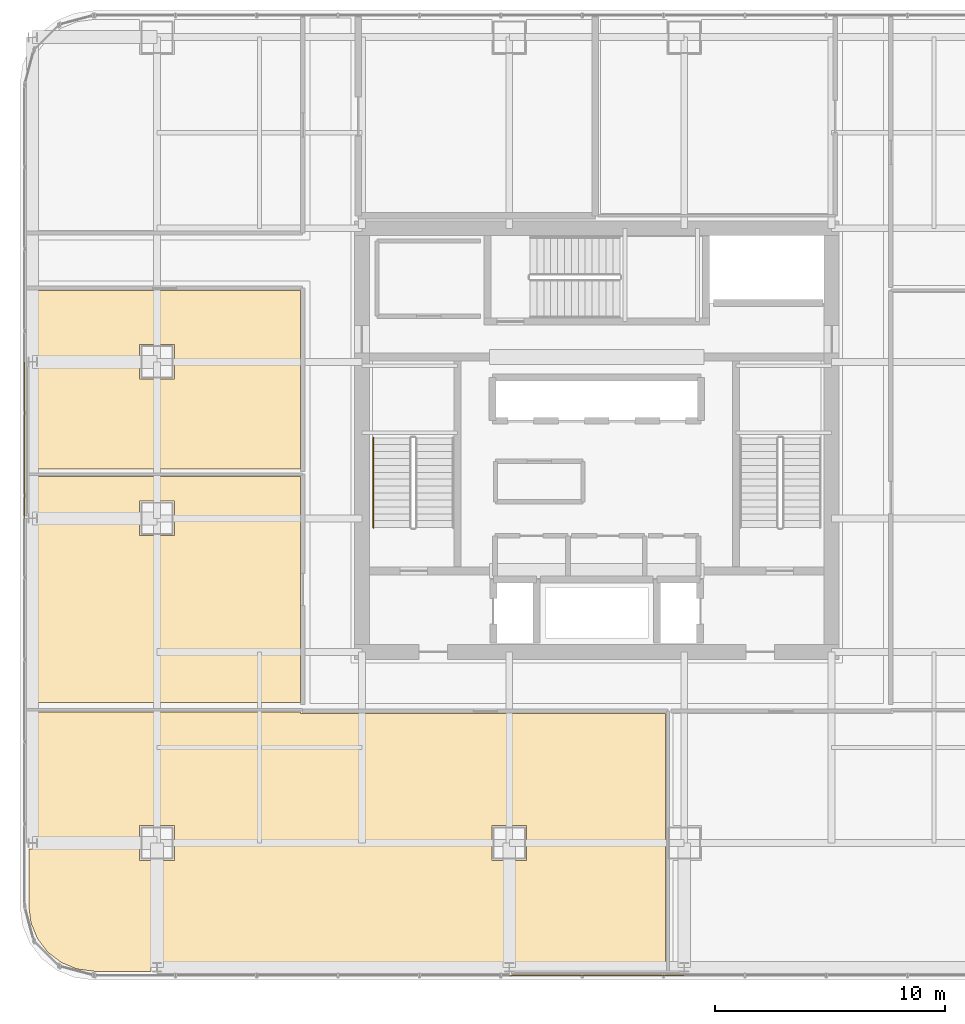
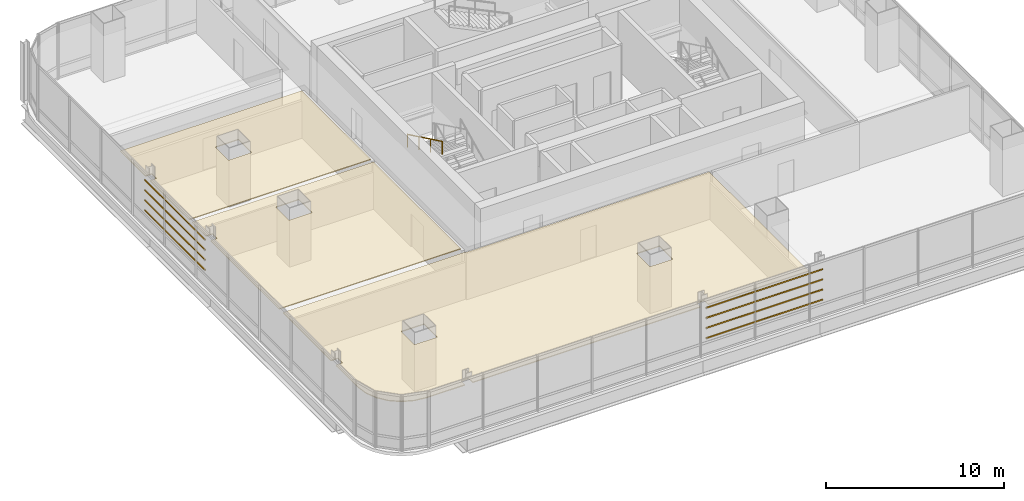
# One storey, part 32 of 36: 8 shading devices, 3 coverings, 1 railing.
"""IFC4 building model written with IfcOpenShell, lengths in metres."""

import ifcopenshell
import ifcopenshell.guid

model = None  # the IFC model being written
_history = None  # IfcOwnerHistory: only IFC2X3 demands one
_inside = {}  # id of a spatial element -> (the spatial element, [elements in it])
_under = {}  # id of a project, library or spatial element -> (it, [spatial elements below it])
_declared = {}  # id of a project -> (the project, [libraries it declares])
_typed = {}  # id of a type object -> (the type object, [elements of that type])
_made_of = {}  # id of a material, layer set ... -> (it, [elements and type objects made of it])


def new_model(schema):
    """Start an empty IFC model of exactly this schema.

    Asked for "IFC4X3", IfcOpenShell would pick the latest addendum, in which some entities
    have other attributes; the version numbers below select the first issue.
    IFC2X3 requires an IfcOwnerHistory on every rooted entity: one is made here for all.
    """
    global model, _history
    if schema == "IFC4X3":
        model = ifcopenshell.file(schema_version=(4, 3, 0, 0))
    else:
        model = ifcopenshell.file(schema=schema)
    _inside.clear()
    _under.clear()
    _declared.clear()
    _typed.clear()
    _made_of.clear()
    _history = None
    if model.schema == "IFC2X3":
        org = make("IfcOrganization", Name="unknown")
        user = make(
            "IfcPersonAndOrganization",
            ThePerson=make("IfcPerson", FamilyName="unknown"),
            TheOrganization=org,
        )
        app = make(
            "IfcApplication",
            ApplicationDeveloper=org,
            Version="unknown",
            ApplicationFullName="unknown",
            ApplicationIdentifier="unknown",
        )
        _history = make(
            "IfcOwnerHistory",
            OwningUser=user,
            OwningApplication=app,
            ChangeAction="ADDED",
            CreationDate=0,
        )
    return model


def make(cls, **values):
    """One entity of the class cls with the attributes given. An attribute that is None is left unset."""
    return model.create_entity(
        cls, **{name: value for name, value in values.items() if value is not None}
    )


def rooted(cls, **values):
    """An entity with a GlobalId (a new one), such as an element, a storey or a relation."""
    return make(cls, GlobalId=ifcopenshell.guid.new(), OwnerHistory=_history, **values)


def si_unit(unit_type, name, prefix=None):
    """IfcSIUnit, for example si_unit("LENGTHUNIT", "METRE", prefix="MILLI")."""
    return make("IfcSIUnit", UnitType=unit_type, Prefix=prefix, Name=name)


def assignment(units):
    """IfcUnitAssignment: the units of a project."""
    return None if units is None else make("IfcUnitAssignment", Units=units)


def point(xyz):
    """IfcCartesianPoint."""
    return None if xyz is None else make("IfcCartesianPoint", Coordinates=xyz)


def direction(xyz):
    """IfcDirection."""
    return None if xyz is None else make("IfcDirection", DirectionRatios=xyz)


def frame(location, z_axis=None, x_axis=None):
    """IfcAxis2Placement3D, a coordinate frame: its origin and axes. An axis left out is left unset."""
    return make(
        "IfcAxis2Placement3D",
        Location=point(location),
        Axis=direction(z_axis),
        RefDirection=direction(x_axis),
    )


def frame_2d(location, x_axis=None):
    """IfcAxis2Placement2D, a coordinate frame in the plane: its origin and x axis."""
    return make(
        "IfcAxis2Placement2D", Location=point(location), RefDirection=direction(x_axis)
    )


def origin():
    """The frame at (0, 0, 0) with its axes left unset."""
    return frame((0.0, 0.0, 0.0))


def origin_2d():
    """The frame at (0, 0) in the plane with its x axis left unset."""
    return frame_2d((0.0, 0.0))


def place(relative_to, where):
    """IfcLocalPlacement: puts the frame where relative to a parent placement (None: the world)."""
    return make(
        "IfcLocalPlacement", PlacementRelTo=relative_to, RelativePlacement=where
    )


def context(
    kind, dimensions, precision=None, world=None, true_north=None, identifier=None
):
    """IfcGeometricRepresentationContext, for example the 3D "Model" context."""
    return make(
        "IfcGeometricRepresentationContext",
        ContextIdentifier=identifier,
        ContextType=kind,
        CoordinateSpaceDimension=dimensions,
        Precision=precision,
        WorldCoordinateSystem=world,
        TrueNorth=true_north,
    )


def subcontext(parent, identifier, kind, view, scale=None):
    """IfcGeometricRepresentationSubContext, for example "Body" below "Model"."""
    return make(
        "IfcGeometricRepresentationSubContext",
        ContextIdentifier=identifier,
        ContextType=kind,
        ParentContext=parent,
        TargetScale=scale,
        TargetView=view,
    )


def project(units=None, contexts=None):
    """IfcProject with its units and contexts."""
    return rooted(
        "IfcProject",
        Name="project",
        RepresentationContexts=contexts,
        UnitsInContext=assignment(units),
    )


def spatial(cls, under=None, at=None, **own):
    """A site, building, storey or space (cls), placed at a placement, below another one or the project."""
    s = rooted(cls, ObjectPlacement=at, **own)
    if under is not None:
        _under.setdefault(under.id(), (under, []))[1].append(s)
    return s


def polyline(points):
    """IfcPolyline through the points."""
    return make("IfcPolyline", Points=[point(p) for p in points])


def profile(cls, at=None, kind="AREA", **sizes):
    """A parametric profile (cls). Its sizes go by their IFC names, for example OverallWidth=200.0."""
    return make(cls, ProfileType=kind, Position=at, **sizes)


def hollow_rectangle(**sizes):
    """IfcRectangleHollowProfileDef."""
    return profile("IfcRectangleHollowProfileDef", **sizes)


def circle(**sizes):
    """IfcCircleProfileDef."""
    return profile("IfcCircleProfileDef", **sizes)


def outline(outer, holes=None, kind="AREA"):
    """IfcArbitraryClosedProfileDef: a profile drawn as a closed curve; with holes, ...WithVoids."""
    if holes is None:
        return make("IfcArbitraryClosedProfileDef", ProfileType=kind, OuterCurve=outer)
    return make(
        "IfcArbitraryProfileDefWithVoids",
        ProfileType=kind,
        OuterCurve=outer,
        InnerCurves=holes,
    )


def extrude(swept, where, along, depth):
    """IfcExtrudedAreaSolid: the profile swept, set in the frame where, extruded along a direction by depth."""
    return make(
        "IfcExtrudedAreaSolid",
        SweptArea=swept,
        Position=where,
        ExtrudedDirection=direction(along),
        Depth=depth,
    )


def shape(context_of_items, identifier, shape_type, items):
    """IfcShapeRepresentation: the items that make up one representation, for example the "Body"."""
    return make(
        "IfcShapeRepresentation",
        ContextOfItems=context_of_items,
        RepresentationIdentifier=identifier,
        RepresentationType=shape_type,
        Items=items,
    )


def material(Name=None, Category=None):
    """IfcMaterial."""
    return make("IfcMaterial", Name=Name, Category=Category)


def layer(
    of_material, thickness, ventilated=None, Name=None, Category=None, Priority=None
):
    """IfcMaterialLayer: one layer of a wall or slab, of a material (None: an air gap)."""
    return make(
        "IfcMaterialLayer",
        Material=of_material,
        LayerThickness=thickness,
        IsVentilated=ventilated,
        Name=Name,
        Category=Category,
        Priority=Priority,
    )


def layer_set(layers, Name=None):
    """IfcMaterialLayerSet."""
    return make("IfcMaterialLayerSet", MaterialLayers=layers, LayerSetName=Name)


def material_profile(
    of_material, cross_section, Name=None, Category=None, Priority=None
):
    """IfcMaterialProfile: a cross section and its material."""
    return make(
        "IfcMaterialProfile",
        Name=Name,
        Material=of_material,
        Profile=cross_section,
        Priority=Priority,
        Category=Category,
    )


def profile_set(profiles, Name=None, composite=None):
    """IfcMaterialProfileSet."""
    return make(
        "IfcMaterialProfileSet",
        Name=Name,
        MaterialProfiles=profiles,
        CompositeProfile=composite,
    )


def made_of(thing, what):
    """Note that an element or type object is made of a material, layer set ...; save() writes the relation."""
    if what is not None:
        _made_of.setdefault(what.id(), (what, []))[1].append(thing)
    return thing


def type_object(cls, material=None, **own):
    """A type object (cls), such as IfcWallType, which elements share."""
    return made_of(rooted(cls, **own), material)


def element(
    cls,
    number,
    at=None,
    inside=None,
    cuts=None,
    type_object=None,
    material=None,
    context=None,
    identifier="Body",
    shape_type=None,
    held_by="IfcProductDefinitionShape",
    body=None,
    shapes=None,
    **own,
):
    """One element of the class cls, such as IfcWall. Its Tag is "e" and its number.

    at: its placement. inside: the storey or other place that contains it. cuts: it is an
    opening in that element (IfcRelVoidsElement). A single representation is given by context,
    identifier, shape_type and body (its items); several are given by shapes. held_by: the class
    of the entity that holds the representations. save() writes the other relations.
    """
    e = rooted(cls, Tag="e%d" % number, ObjectPlacement=at, **own)
    if body is not None:
        shapes = [shape(context, identifier, shape_type, body)]
    if shapes is not None:
        e.Representation = make(held_by, Representations=shapes)
    if inside is not None:
        _inside.setdefault(inside.id(), (inside, []))[1].append(e)
    if cuts is not None:
        rooted(
            "IfcRelVoidsElement", RelatingBuildingElement=cuts, RelatedOpeningElement=e
        )
    if type_object is not None:
        _typed.setdefault(type_object.id(), (type_object, []))[1].append(e)
    return made_of(e, material)


def aggregate(whole, parts):
    """IfcRelAggregates: a whole, such as a stair, and the parts it consists of."""
    return rooted("IfcRelAggregates", RelatingObject=whole, RelatedObjects=parts)


def save(model, path):
    """Write the relations noted so far, then the file.

    IfcRelAggregates (storeys below a building ...), IfcRelContainedInSpatialStructure (elements
    in a storey), IfcRelDefinesByType, IfcRelAssociatesMaterial and IfcRelDeclares: one each for
    every whole, place, type object, material and project.
    """
    for whole, parts in _under.values():
        aggregate(whole, parts)
    for where, things in _inside.values():
        rooted(
            "IfcRelContainedInSpatialStructure",
            RelatedElements=things,
            RelatingStructure=where,
        )
    for kind, things in _typed.values():
        rooted("IfcRelDefinesByType", RelatedObjects=things, RelatingType=kind)
    for what, things in _made_of.values():
        rooted("IfcRelAssociatesMaterial", RelatedObjects=things, RelatingMaterial=what)
    for by, libraries in _declared.values():
        rooted("IfcRelDeclares", RelatingContext=by, RelatedDefinitions=libraries)
    model.write(path)


model = new_model("IFC4")

# Units and contexts
model_context = context("Model", 3, precision=1e-05, world=origin(), true_north=direction((0.0, 1.0)))
body_context = subcontext(model_context, "Body", "Model", "MODEL_VIEW")
ifc_project = project(units=[si_unit("LENGTHUNIT", "METRE"), si_unit("AREAUNIT", "SQUARE_METRE"), si_unit("VOLUMEUNIT", "CUBIC_METRE"), si_unit("PLANEANGLEUNIT", "RADIAN"), si_unit("MASSUNIT", "GRAM", prefix="KILO")], contexts=[model_context])

# Site, building, storey
site_placement = place(None, origin())
site = spatial("IfcSite", under=ifc_project, at=site_placement, CompositionType="ELEMENT")
building_placement = place(site_placement, origin())
building = spatial("IfcBuilding", under=site, at=building_placement, Name="Punatoya Terracotta Tower", CompositionType="ELEMENT")
storey_placement = place(building_placement, frame((0.0, 0.0, 180.300048828125)))
storey = spatial("IfcBuildingStorey", under=building, at=storey_placement, Name="L42", CompositionType="ELEMENT", Elevation=180.300048828125)

# Coverings
ifc_material_1 = material(Name="Acoustic Mineral Fibre Ceiling")
ifc_layer = layer(ifc_material_1, 0.06005859375)
ifc_layer_set = layer_set([ifc_layer], Name="Acoustic Mineral Fibre Ceiling")
covering_type = type_object("IfcCoveringType", Name="COV-CEIL-60", PredefinedType="CEILING", material=ifc_layer_set)
covering_1_placement = place(storey_placement, frame((0.0, 0.0, 3.219970703125)))
element("IfcCovering", 1, at=covering_1_placement, inside=storey, type_object=covering_type, Name="L42 Staff Wellness Studio Acoustic Ceiling", PredefinedType="CEILING", context=body_context, shape_type="SweptSolid", body=[
    extrude(outline(polyline([(-12.8701171875, -11.8701171875), (-12.8701171875, -11.81005859375), (-24.669921875, -11.81005859375), (-24.669921875, -17.237548828125), (-24.24560546875, -17.237548828125), (-24.24560546875, -17.762451171875), (-24.669921875, -17.762451171875), (-24.669921875, -20.22509765625), (-24.57080078125, -20.97900390625), (-24.289306640625, -21.658203125), (-23.841796875, -22.24169921875), (-23.25830078125, -22.689453125), (-22.5791015625, -22.970703125), (-21.8251953125, -23.070068359375), (-19.3544921875, -23.070068359375), (-19.3544921875, -22.637451171875), (-18.845458984375, -22.637451171875), (-18.845458984375, -23.070068359375), (-4.054443359375, -23.070068359375), (-4.054443359375, -22.637451171875), (-3.54541015625, -22.637451171875), (-3.54541015625, -23.070068359375), (2.99609375, -23.070068359375), (2.99609375, -11.8701171875), (-12.8701171875, -11.8701171875)]), holes=[polyline([(-4.550048828125, -16.75), (-3.050048828125, -16.75), (-3.050048828125, -18.25), (-4.550048828125, -18.25), (-4.550048828125, -16.75)]), polyline([(-19.85009765625, -18.25), (-19.85009765625, -16.75), (-18.35009765625, -16.75), (-18.35009765625, -18.25), (-19.85009765625, -18.25)])]), origin(), (0.0, 0.0, 1.0), 0.06005859375),
])
covering_2_placement = place(storey_placement, frame((0.0, 0.0, 3.219970703125)))
element("IfcCovering", 2, at=covering_2_placement, inside=storey, type_object=covering_type, Name="L42 Open-Plan Cultural History Classroom Acoustic Ceiling", PredefinedType="CEILING", context=body_context, shape_type="SweptSolid", body=[
    extrude(outline(polyline([(-24.669921875, -3.66259765625), (-24.669921875, -11.389892578125), (-12.8701171875, -11.389892578125), (-12.8701171875, -1.5791015625), (-24.669921875, -1.5791015625), (-24.669921875, -3.137451171875), (-24.24560546875, -3.137451171875), (-24.24560546875, -3.66259765625), (-24.669921875, -3.66259765625)]), holes=[polyline([(-18.35009765625, -4.14990234375), (-19.85009765625, -4.14990234375), (-19.85009765625, -2.64990234375), (-18.35009765625, -2.64990234375), (-18.35009765625, -4.14990234375)])]), origin(), (0.0, 0.0, 1.0), 0.06005859375),
])
covering_3_placement = place(storey_placement, frame((0.0, 0.0, 3.219970703125)))
element("IfcCovering", 3, at=covering_3_placement, inside=storey, type_object=covering_type, Name="L42 Open-Plan Nutrition Tea Pantry Acoustic Ceiling", PredefinedType="CEILING", context=body_context, shape_type="SweptSolid", body=[
    extrude(outline(polyline([(-24.669921875, 3.137451171875), (-24.669921875, -1.259033203125), (-12.8701171875, -1.259033203125), (-12.8701171875, 6.5), (-24.669921875, 6.5), (-24.669921875, 3.66259765625), (-24.24560546875, 3.66259765625), (-24.24560546875, 3.137451171875), (-24.669921875, 3.137451171875)]), holes=[polyline([(-18.35009765625, 4.14990234375), (-18.35009765625, 2.64990234375), (-19.85009765625, 2.64990234375), (-19.85009765625, 4.14990234375), (-18.35009765625, 4.14990234375)])]), origin(), (0.0, 0.0, 1.0), 0.06005859375),
])

# Railing
ifc_material_2 = material(Name="Steel S355", Category="steel")
railing_type = type_object("IfcRailingType", Name="RLG-HND-900", PredefinedType="HANDRAIL", material=ifc_material_2)
railing_placement = place(storey_placement, frame((-9.699951171875, 0.10009765625, 2.169677734375)))
element("IfcRailing", 4, at=railing_placement, inside=storey, type_object=railing_type, Name="L42 ST-1 stair handrail 2", PredefinedType="HANDRAIL", context=body_context, shape_type="SweptSolid", body=[
    extrude(circle(Radius=0.02392578125, at=origin_2d()), frame((0.0, 0.0, 0.8759765625), z_axis=(0.0, -0.900773802044, 0.434288564841), x_axis=(1.0, 0.0, 0.0)), (0.0, 0.0, 1.0), 4.329833984375),
    extrude(circle(Radius=0.02099609375, at=origin_2d()), origin(), (0.0, 0.0, 1.0), 0.851806640625),
    extrude(circle(Radius=0.02099609375, at=origin_2d()), frame((0.0, -1.300048828125, 0.626708984375)), (0.0, 0.0, 1.0), 0.851806640625),
    extrude(circle(Radius=0.02099609375, at=origin_2d()), frame((0.0, -2.60009765625, 1.253662109375)), (0.0, 0.0, 1.0), 0.851806640625),
    extrude(circle(Radius=0.02099609375, at=origin_2d()), frame((0.0, -3.900146484375, 1.88037109375)), (0.0, 0.0, 1.0), 0.851806640625),
])

# Shading devices
ifc_material_3 = material(Name="Architectural Fired Terracotta", Category="masonry")
ifc_material_profile = material_profile(ifc_material_3, hollow_rectangle(XDim=0.06005859375, YDim=0.090087890625, WallThickness=0.013916015625, at=origin_2d()))
ifc_profile_set = profile_set([ifc_material_profile], Name="Architectural Fired Terracotta")
shading_device_type = type_object("IfcShadingDeviceType", Name="SHD-JALI-90", PredefinedType="JALOUSIE", material=ifc_profile_set)
for number, where, z_axis, x_axis, name in (
    (5, (-3.800048828125, -23.25244140625, 1.14990234375), (1.0, 0.0, 0.0), (0.0, 1.0, 0.0), "L42 Fired Terracotta Baguette Louvre BAG-L42-S-01"),
    (6, (-3.800048828125, -23.25244140625, 1.84326171875), (1.0, 0.0, 0.0), (0.0, 1.0, 0.0), "L42 Fired Terracotta Baguette Louvre BAG-L42-S-02"),
    (7, (-3.800048828125, -23.25244140625, 2.53662109375), (1.0, 0.0, 0.0), (0.0, 1.0, 0.0), "L42 Fired Terracotta Baguette Louvre BAG-L42-S-03"),
    (8, (-3.800048828125, -23.25244140625, 3.22998046875), (1.0, 0.0, 0.0), (0.0, 1.0, 0.0), "L42 Fired Terracotta Baguette Louvre BAG-L42-S-04"),
):
    element("IfcShadingDevice", number, at=place(storey_placement, frame(where, z_axis=z_axis, x_axis=x_axis)), inside=storey, type_object=shading_device_type, Name=name, PredefinedType="JALOUSIE", context=body_context, shape_type="SweptSolid", body=[
        extrude(hollow_rectangle(XDim=0.06005859375, YDim=0.090087890625, WallThickness=0.013916015625, at=origin_2d()), origin(), (0.0, 0.0, 1.0), 7.60009765625),
    ])
for number, where, z_axis, x_axis, name in (
    (9, (-24.8525390625, -3.39990234375, 1.14990234375), (0.0, 1.0, 0.0), (-1.0, 0.0, 0.0), "L42 Fired Terracotta Baguette Louvre BAG-L42-W-01"),
    (10, (-24.8525390625, -3.39990234375, 1.84326171875), (0.0, 1.0, 0.0), (-1.0, 0.0, 0.0), "L42 Fired Terracotta Baguette Louvre BAG-L42-W-02"),
    (11, (-24.8525390625, -3.39990234375, 2.53662109375), (0.0, 1.0, 0.0), (-1.0, 0.0, 0.0), "L42 Fired Terracotta Baguette Louvre BAG-L42-W-03"),
    (12, (-24.8525390625, -3.39990234375, 3.22998046875), (0.0, 1.0, 0.0), (-1.0, 0.0, 0.0), "L42 Fired Terracotta Baguette Louvre BAG-L42-W-04"),
):
    element("IfcShadingDevice", number, at=place(storey_placement, frame(where, z_axis=z_axis, x_axis=x_axis)), inside=storey, type_object=shading_device_type, Name=name, PredefinedType="JALOUSIE", context=body_context, shape_type="SweptSolid", body=[
        extrude(hollow_rectangle(XDim=0.06005859375, YDim=0.090087890625, WallThickness=0.013916015625, at=origin_2d()), origin(), (0.0, 0.0, 1.0), 6.7998046875),
    ])

save(model, "model.ifc")
